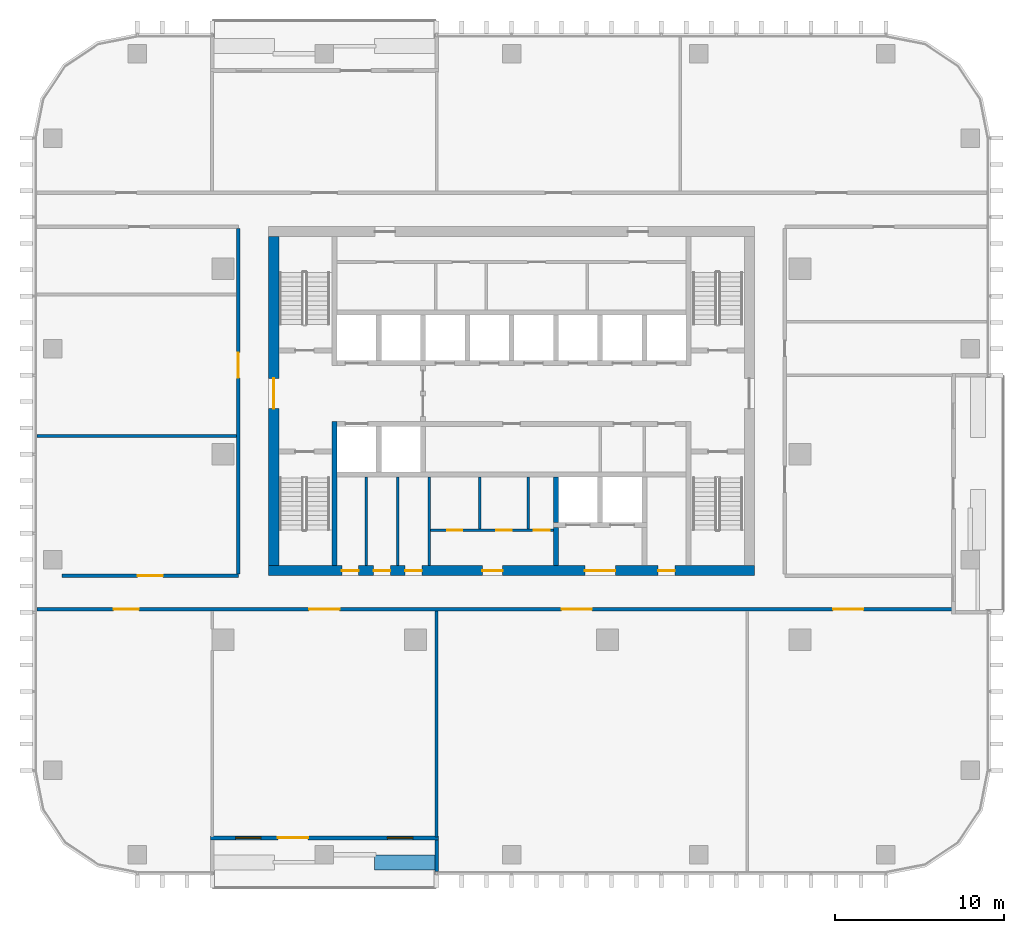
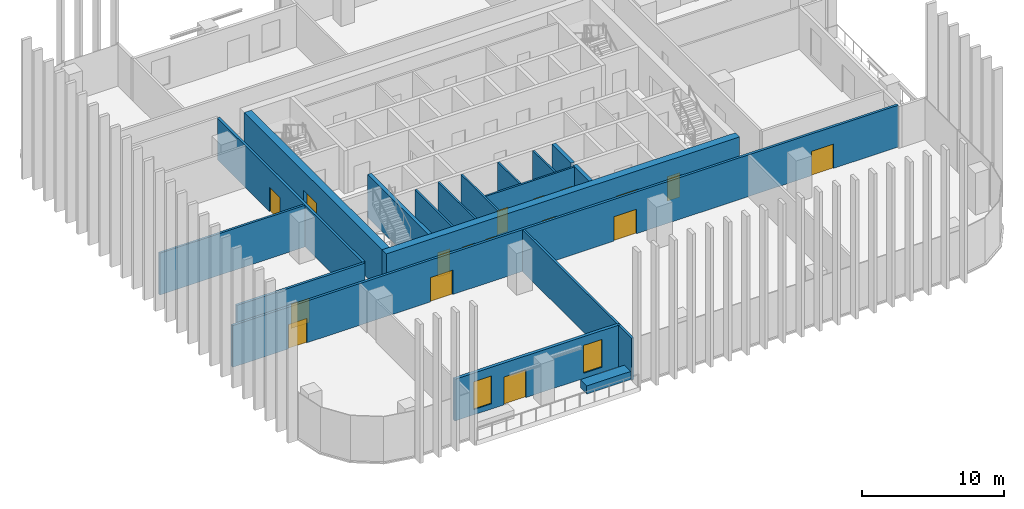
# One storey, part 7 of 15: 19 walls, 17 doors, 2 windows, 19 openings.
"""IFC4 building model written with IfcOpenShell, lengths in metres."""

from ifc_helpers import new_model, si_unit, direction, frame, frame_2d, origin, place, context, subcontext, project, spatial, rectangle, extrude, material, layer, layer_set, type_object, element, fill, save


model = new_model("IFC4")

# Units and contexts
model_context = context("Model", 3, precision=1e-05, world=origin(), true_north=direction((0.0, 1.0)))
body_context = subcontext(model_context, "Body", "Model", "MODEL_VIEW")
ifc_project = project(units=[si_unit("LENGTHUNIT", "METRE"), si_unit("AREAUNIT", "SQUARE_METRE"), si_unit("VOLUMEUNIT", "CUBIC_METRE"), si_unit("PLANEANGLEUNIT", "RADIAN"), si_unit("MASSUNIT", "GRAM", prefix="KILO")], contexts=[model_context])

# Site, building, storey
site_placement = place(None, origin())
site = spatial("IfcSite", under=ifc_project, at=site_placement, CompositionType="ELEMENT")
building_placement = place(site_placement, origin())
building = spatial("IfcBuilding", under=site, at=building_placement, Name="Mopane Tessera Tower", CompositionType="ELEMENT")
storey_placement = place(building_placement, frame((0.0, 0.0, 223.0)))
storey = spatial("IfcBuildingStorey", under=building, at=storey_placement, Name="L47", CompositionType="ELEMENT", Elevation=223.0)

# Walls
ifc_material_1 = material(Name="Fire-rated gypsum board partition")
ifc_layer_1 = layer(ifc_material_1, 0.14990234375)
ifc_layer_set_1 = layer_set([ifc_layer_1], Name="Fire-rated gypsum board partition")
wall_type_1 = type_object("IfcWallType", Name="Core room partition 150 mm", PredefinedType="PARTITIONING", material=ifc_layer_set_1)
for number, where, z_axis, x_axis, name in (
    (1, (-8.625, -6.60009765625, 0.0), (0.0, 0.0, 1.0), (0.0, 1.0, 0.0), "L47 Room partition"),
    (2, (-6.75, -6.60009765625, 0.0), (0.0, 0.0, 1.0), (0.0, 1.0, 0.0), "L47 Room partition"),
    (3, (-4.875, -6.60009765625, 0.0), (0.0, 0.0, 1.0), (0.0, 1.0, 0.0), "L47 Room partition"),
):
    element("IfcWall", number, at=place(storey_placement, frame(where, z_axis=z_axis, x_axis=x_axis)), inside=storey, type_object=wall_type_1, Name=name, PredefinedType="PARTITIONING", context=body_context, shape_type="SweptSolid", body=[
        extrude(rectangle(XDim=5.25, YDim=0.14990234375, at=frame_2d((2.625, 0.0))), origin(), (0.0, 0.0, 1.0), 3.699951171875),
    ])

# Wall, openings, doors
wall_1_placement = place(storey_placement, frame((-4.800048828125, -4.5, 0.0), z_axis=(0.0, 0.0, 1.0), x_axis=(1.0, 0.0, 0.0)))
wall_1 = element("IfcWall", 4, at=wall_1_placement, inside=storey, type_object=wall_type_1, Name="L47 WC partition", PredefinedType="PARTITIONING", context=body_context, shape_type="SweptSolid", body=[
    extrude(rectangle(XDim=7.275146484375, YDim=0.14990234375, at=frame_2d((3.6376953125, 0.0))), origin(), (0.0, 0.0, 1.0), 3.699951171875),
])
opening_1_placement = place(wall_1_placement, frame((0.97509765625, 0.0, 0.0)))
opening_1 = element("IfcOpeningElement", 5, at=opening_1_placement, cuts=wall_1, Name="Opening WD1", PredefinedType="OPENING", context=body_context, shape_type="SweptSolid", body=[
    extrude(rectangle(XDim=0.89990234375, YDim=2.10009765625, at=frame_2d((0.449951171875, 1.050048828125))), frame((0.0, 0.0869140625, 0.0), z_axis=(0.0, -1.0, 0.0), x_axis=(1.0, 0.0, 0.0)), (0.0, 0.0, 1.0), 0.173828125),
])
opening_2_placement = place(wall_1_placement, frame((3.89990234375, 0.0, 0.0)))
opening_2 = element("IfcOpeningElement", 6, at=opening_2_placement, cuts=wall_1, Name="Opening WD1", PredefinedType="OPENING", context=body_context, shape_type="SweptSolid", body=[
    extrude(rectangle(XDim=0.89990234375, YDim=2.10009765625, at=frame_2d((0.449951171875, 1.050048828125))), frame((0.0, 0.0869140625, 0.0), z_axis=(0.0, -1.0, 0.0), x_axis=(1.0, 0.0, 0.0)), (0.0, 0.0, 1.0), 0.173828125),
])
opening_3_placement = place(wall_1_placement, frame((6.125, 0.0, 0.0)))
opening_3 = element("IfcOpeningElement", 7, at=opening_3_placement, cuts=wall_1, Name="Opening WD2", PredefinedType="OPENING", context=body_context, shape_type="SweptSolid", body=[
    extrude(rectangle(XDim=0.949951171875, YDim=2.10009765625, at=frame_2d((0.47509765625, 1.050048828125))), frame((0.0, 0.0869140625, 0.0), z_axis=(0.0, -1.0, 0.0), x_axis=(1.0, 0.0, 0.0)), (0.0, 0.0, 1.0), 0.173828125),
])
ifc_material_2 = material(Name="Timber door", Category="wood")
door_type_1 = type_object("IfcDoorType", Name="Accessible WC door 950 x 2100", OperationType="SINGLE_SWING_LEFT", PredefinedType="DOOR", material=ifc_material_2)
door_1_placement = place(opening_3_placement, origin())
door_1 = element("IfcDoor", 8, at=door_1_placement, inside=storey, type_object=door_type_1, Name="L47 Accessible WC door", OperationType="SINGLE_SWING_LEFT", OverallHeight=2.10009765625, OverallWidth=0.949951171875, PredefinedType="DOOR", context=body_context, shape_type="SweptSolid", body=[
    extrude(rectangle(XDim=0.949951171875, YDim=2.10009765625, at=frame_2d((0.47509765625, 1.050048828125))), frame((0.0, 0.02490234375, 0.0), z_axis=(0.0, -1.0, 0.0), x_axis=(1.0, 0.0, 0.0)), (0.0, 0.0, 1.0), 0.050048828125),
])
fill(opening_3, door_1)
ifc_material_3 = material(Name="Timber door", Category="wood")
door_type_2 = type_object("IfcDoorType", Name="WC cubicle door 900 x 2100", OperationType="SINGLE_SWING_LEFT", PredefinedType="DOOR", material=ifc_material_3)
door_2_placement = place(opening_1_placement, origin())
door_2 = element("IfcDoor", 9, at=door_2_placement, inside=storey, type_object=door_type_2, Name="L47 Men's WC door", OperationType="SINGLE_SWING_LEFT", OverallHeight=2.10009765625, OverallWidth=0.89990234375, PredefinedType="DOOR", context=body_context, shape_type="SweptSolid", body=[
    extrude(rectangle(XDim=0.89990234375, YDim=2.10009765625, at=frame_2d((0.449951171875, 1.050048828125))), frame((0.0, 0.02490234375, 0.0), z_axis=(0.0, -1.0, 0.0), x_axis=(1.0, 0.0, 0.0)), (0.0, 0.0, 1.0), 0.050048828125),
])
fill(opening_1, door_2)
door_3_placement = place(opening_2_placement, origin())
door_3 = element("IfcDoor", 10, at=door_3_placement, inside=storey, type_object=door_type_2, Name="L47 Women's WC door", OperationType="SINGLE_SWING_LEFT", OverallHeight=2.10009765625, OverallWidth=0.89990234375, PredefinedType="DOOR", context=body_context, shape_type="SweptSolid", body=[
    extrude(rectangle(XDim=0.89990234375, YDim=2.10009765625, at=frame_2d((0.449951171875, 1.050048828125))), frame((0.0, 0.02490234375, 0.0), z_axis=(0.0, -1.0, 0.0), x_axis=(1.0, 0.0, 0.0)), (0.0, 0.0, 1.0), 0.050048828125),
])
fill(opening_2, door_3)

# Walls
for number, where, z_axis, x_axis, name in (
    (11, (-1.875, -4.425048828125, 0.0), (0.0, 0.0, 1.0), (0.0, 1.0, 0.0), "L47 WC partition"),
    (12, (0.97509765625, -4.425048828125, 0.0), (0.0, 0.0, 1.0), (0.0, 1.0, 0.0), "L47 WC partition"),
):
    element("IfcWall", number, at=place(storey_placement, frame(where, z_axis=z_axis, x_axis=x_axis)), inside=storey, type_object=wall_type_1, Name=name, PredefinedType="PARTITIONING", context=body_context, shape_type="SweptSolid", body=[
        extrude(rectangle(XDim=3.074951171875, YDim=0.14990234375, at=frame_2d((1.53759765625, 0.0))), origin(), (0.0, 0.0, 1.0), 3.699951171875),
    ])

# Wall, openings, doors
ifc_material_4 = material(Name="Concrete C70/85", Category="concrete")
ifc_layer_2 = layer(ifc_material_4, 0.60009765625)
ifc_layer_set_2 = layer_set([ifc_layer_2], Name="Concrete C70/85")
wall_type_2 = type_object("IfcWallType", Name="Core shear wall 600 mm", PredefinedType="SHEAR", material=ifc_layer_set_2)
wall_2_placement = place(storey_placement, frame((-14.39990234375, -6.89990234375, 0.0), z_axis=(0.0, 0.0, 1.0), x_axis=(1.0, 0.0, 0.0)))
wall_2 = element("IfcWall", 13, at=wall_2_placement, inside=storey, type_object=wall_type_2, Name="L47 Core wall south", PredefinedType="SHEAR", context=body_context, shape_type="SweptSolid", body=[
    extrude(rectangle(XDim=28.7998046875, YDim=0.60009765625, at=frame_2d((14.39990234375, 0.0))), origin(), (0.0, 0.0, 1.0), 3.699951171875),
])
opening_4_placement = place(wall_2_placement, frame((4.33740234375, 0.0, 0.0)))
opening_4 = element("IfcOpeningElement", 14, at=opening_4_placement, cuts=wall_2, Name="Opening RD1", PredefinedType="OPENING", context=body_context, shape_type="SweptSolid", body=[
    extrude(rectangle(XDim=1.0, YDim=2.10009765625, at=frame_2d((0.5, 1.050048828125))), frame((0.0, 0.31201171875, 0.0), z_axis=(0.0, -1.0, 0.0), x_axis=(1.0, 0.0, 0.0)), (0.0, 0.0, 1.0), 0.6240234375),
])
opening_5_placement = place(wall_2_placement, frame((6.21240234375, 0.0, 0.0)))
opening_5 = element("IfcOpeningElement", 15, at=opening_5_placement, cuts=wall_2, Name="Opening RD1", PredefinedType="OPENING", context=body_context, shape_type="SweptSolid", body=[
    extrude(rectangle(XDim=1.0, YDim=2.10009765625, at=frame_2d((0.5, 1.050048828125))), frame((0.0, 0.31201171875, 0.0), z_axis=(0.0, -1.0, 0.0), x_axis=(1.0, 0.0, 0.0)), (0.0, 0.0, 1.0), 0.6240234375),
])
opening_6_placement = place(wall_2_placement, frame((8.08740234375, 0.0, 0.0)))
opening_6 = element("IfcOpeningElement", 16, at=opening_6_placement, cuts=wall_2, Name="Opening RD1", PredefinedType="OPENING", context=body_context, shape_type="SweptSolid", body=[
    extrude(rectangle(XDim=1.0, YDim=2.10009765625, at=frame_2d((0.5, 1.050048828125))), frame((0.0, 0.31201171875, 0.0), z_axis=(0.0, -1.0, 0.0), x_axis=(1.0, 0.0, 0.0)), (0.0, 0.0, 1.0), 0.6240234375),
])
opening_7_placement = place(wall_2_placement, frame((12.675048828125, 0.0, 0.0)))
opening_7 = element("IfcOpeningElement", 17, at=opening_7_placement, cuts=wall_2, Name="Opening WD3", PredefinedType="OPENING", context=body_context, shape_type="SweptSolid", body=[
    extrude(rectangle(XDim=1.199951171875, YDim=2.10009765625, at=frame_2d((0.60009765625, 1.050048828125))), frame((0.0, 0.31201171875, 0.0), z_axis=(0.0, -1.0, 0.0), x_axis=(1.0, 0.0, 0.0)), (0.0, 0.0, 1.0), 0.6240234375),
])
opening_8_placement = place(wall_2_placement, frame((18.75, 0.0, 0.0)))
opening_8 = element("IfcOpeningElement", 18, at=opening_8_placement, cuts=wall_2, Name="Opening SD2", PredefinedType="OPENING", context=body_context, shape_type="SweptSolid", body=[
    extrude(rectangle(XDim=1.800048828125, YDim=2.10009765625, at=frame_2d((0.89990234375, 1.050048828125))), frame((0.0, 0.31201171875, 0.0), z_axis=(0.0, -1.0, 0.0), x_axis=(1.0, 0.0, 0.0)), (0.0, 0.0, 1.0), 0.6240234375),
])
opening_9_placement = place(wall_2_placement, frame((23.08740234375, 0.0, 0.0)))
opening_9 = element("IfcOpeningElement", 19, at=opening_9_placement, cuts=wall_2, Name="Opening RD1", PredefinedType="OPENING", context=body_context, shape_type="SweptSolid", body=[
    extrude(rectangle(XDim=1.0, YDim=2.10009765625, at=frame_2d((0.5, 1.050048828125))), frame((0.0, 0.31201171875, 0.0), z_axis=(0.0, -1.0, 0.0), x_axis=(1.0, 0.0, 0.0)), (0.0, 0.0, 1.0), 0.6240234375),
])
ifc_material_5 = material(Name="Steel fire door", Category="steel")
door_type_3 = type_object("IfcDoorType", Name="Core entrance double door 1800 x 2100", OperationType="DOUBLE_DOOR_SINGLE_SWING", PredefinedType="DOOR", material=ifc_material_5)
door_4_placement = place(opening_8_placement, origin())
door_4 = element("IfcDoor", 20, at=door_4_placement, inside=storey, type_object=door_type_3, Name="L47 Service lobby door", OperationType="DOUBLE_DOOR_SINGLE_SWING", OverallHeight=2.10009765625, OverallWidth=1.800048828125, PredefinedType="DOOR", context=body_context, shape_type="SweptSolid", body=[
    extrude(rectangle(XDim=1.800048828125, YDim=2.10009765625, at=frame_2d((0.89990234375, 1.050048828125))), frame((0.0, 0.02490234375, 0.0), z_axis=(0.0, -1.0, 0.0), x_axis=(1.0, 0.0, 0.0)), (0.0, 0.0, 1.0), 0.050048828125),
])
fill(opening_8, door_4)
ifc_material_6 = material(Name="Timber door", Category="wood")
door_type_4 = type_object("IfcDoorType", Name="Core room door 1000 x 2100", OperationType="SINGLE_SWING_LEFT", PredefinedType="DOOR", material=ifc_material_6)
door_5_placement = place(opening_4_placement, origin())
door_5 = element("IfcDoor", 21, at=door_5_placement, inside=storey, type_object=door_type_4, Name="L47 Room door", OperationType="SINGLE_SWING_LEFT", OverallHeight=2.10009765625, OverallWidth=1.0, PredefinedType="DOOR", context=body_context, shape_type="SweptSolid", body=[
    extrude(rectangle(XDim=1.0, YDim=2.10009765625, at=frame_2d((0.5, 1.050048828125))), frame((0.0, 0.02490234375, 0.0), z_axis=(0.0, -1.0, 0.0), x_axis=(1.0, 0.0, 0.0)), (0.0, 0.0, 1.0), 0.050048828125),
])
fill(opening_4, door_5)
door_6_placement = place(opening_5_placement, origin())
door_6 = element("IfcDoor", 22, at=door_6_placement, inside=storey, type_object=door_type_4, Name="L47 Room door", OperationType="SINGLE_SWING_LEFT", OverallHeight=2.10009765625, OverallWidth=1.0, PredefinedType="DOOR", context=body_context, shape_type="SweptSolid", body=[
    extrude(rectangle(XDim=1.0, YDim=2.10009765625, at=frame_2d((0.5, 1.050048828125))), frame((0.0, 0.02490234375, 0.0), z_axis=(0.0, -1.0, 0.0), x_axis=(1.0, 0.0, 0.0)), (0.0, 0.0, 1.0), 0.050048828125),
])
fill(opening_5, door_6)
door_7_placement = place(opening_6_placement, origin())
door_7 = element("IfcDoor", 23, at=door_7_placement, inside=storey, type_object=door_type_4, Name="L47 Room door", OperationType="SINGLE_SWING_LEFT", OverallHeight=2.10009765625, OverallWidth=1.0, PredefinedType="DOOR", context=body_context, shape_type="SweptSolid", body=[
    extrude(rectangle(XDim=1.0, YDim=2.10009765625, at=frame_2d((0.5, 1.050048828125))), frame((0.0, 0.02490234375, 0.0), z_axis=(0.0, -1.0, 0.0), x_axis=(1.0, 0.0, 0.0)), (0.0, 0.0, 1.0), 0.050048828125),
])
fill(opening_6, door_7)
door_8_placement = place(opening_9_placement, origin())
door_8 = element("IfcDoor", 24, at=door_8_placement, inside=storey, type_object=door_type_4, Name="L47 Room door", OperationType="SINGLE_SWING_LEFT", OverallHeight=2.10009765625, OverallWidth=1.0, PredefinedType="DOOR", context=body_context, shape_type="SweptSolid", body=[
    extrude(rectangle(XDim=1.0, YDim=2.10009765625, at=frame_2d((0.5, 1.050048828125))), frame((0.0, 0.02490234375, 0.0), z_axis=(0.0, -1.0, 0.0), x_axis=(1.0, 0.0, 0.0)), (0.0, 0.0, 1.0), 0.050048828125),
])
fill(opening_9, door_8)
ifc_material_7 = material(Name="Timber door", Category="wood")
door_type_5 = type_object("IfcDoorType", Name="WC lobby door 1200 x 2100", OperationType="SINGLE_SWING_LEFT", PredefinedType="DOOR", material=ifc_material_7)
door_9_placement = place(opening_7_placement, origin())
door_9 = element("IfcDoor", 25, at=door_9_placement, inside=storey, type_object=door_type_5, Name="L47 WC lobby door", OperationType="SINGLE_SWING_LEFT", OverallHeight=2.10009765625, OverallWidth=1.199951171875, PredefinedType="DOOR", context=body_context, shape_type="SweptSolid", body=[
    extrude(rectangle(XDim=1.199951171875, YDim=2.10009765625, at=frame_2d((0.60009765625, 1.050048828125))), frame((0.0, 0.02490234375, 0.0), z_axis=(0.0, -1.0, 0.0), x_axis=(1.0, 0.0, 0.0)), (0.0, 0.0, 1.0), 0.050048828125),
])
fill(opening_7, door_9)

# Wall, opening, door
wall_3_placement = place(storey_placement, frame((-14.10009765625, -6.60009765625, 0.0), z_axis=(0.0, 0.0, 1.0), x_axis=(0.0, 1.0, 0.0)))
wall_3 = element("IfcWall", 26, at=wall_3_placement, inside=storey, type_object=wall_type_2, Name="L47 Core wall west", PredefinedType="SHEAR", context=body_context, shape_type="SweptSolid", body=[
    extrude(rectangle(XDim=19.5, YDim=0.60009765625, at=frame_2d((9.75, 0.0))), origin(), (0.0, 0.0, 1.0), 3.699951171875),
])
opening_10_placement = place(wall_3_placement, frame((9.300048828125, 0.0, 0.0)))
opening_10 = element("IfcOpeningElement", 27, at=opening_10_placement, cuts=wall_3, Name="Opening SD2", PredefinedType="OPENING", context=body_context, shape_type="SweptSolid", body=[
    extrude(rectangle(XDim=1.800048828125, YDim=2.10009765625, at=frame_2d((0.89990234375, 1.050048828125))), frame((0.0, 0.31201171875, 0.0), z_axis=(0.0, -1.0, 0.0), x_axis=(1.0, 0.0, 0.0)), (0.0, 0.0, 1.0), 0.6240234375),
])
door_10_placement = place(opening_10_placement, origin())
door_10 = element("IfcDoor", 28, at=door_10_placement, inside=storey, type_object=door_type_3, Name="L47 Core entrance door west", OperationType="DOUBLE_DOOR_SINGLE_SWING", OverallHeight=2.10009765625, OverallWidth=1.800048828125, PredefinedType="DOOR", context=body_context, shape_type="SweptSolid", body=[
    extrude(rectangle(XDim=1.800048828125, YDim=2.10009765625, at=frame_2d((0.89990234375, 1.050048828125))), frame((0.0, 0.02490234375, 0.0), z_axis=(0.0, -1.0, 0.0), x_axis=(1.0, 0.0, 0.0)), (0.0, 0.0, 1.0), 0.050048828125),
])
fill(opening_10, door_10)

# Walls
ifc_material_8 = material(Name="Concrete C60/75", Category="concrete")
ifc_layer_3 = layer(ifc_material_8, 0.300048828125)
ifc_layer_set_3 = layer_set([ifc_layer_3], Name="Concrete C60/75")
wall_type_3 = type_object("IfcWallType", Name="Core spine wall 300 mm", PredefinedType="SHEAR", material=ifc_layer_set_3)
wall_4_placement = place(storey_placement, frame((-10.5, -6.60009765625, 0.0), z_axis=(0.0, 0.0, 1.0), x_axis=(0.0, 1.0, 0.0)))
element("IfcWall", 29, at=wall_4_placement, inside=storey, type_object=wall_type_3, Name="L47 Core spine wall", PredefinedType="SHEAR", context=body_context, shape_type="SweptSolid", body=[
    extrude(rectangle(XDim=8.550048828125, YDim=0.300048828125, at=frame_2d((4.27490234375, 0.0))), origin(), (0.0, 0.0, 1.0), 3.699951171875),
])
ifc_material_9 = material(Name="Gypsum board on staggered steel studs, double layer each face, acoustic mineral wool infill", Category="steel")
ifc_layer_4 = layer(ifc_material_9, 0.175048828125)
ifc_layer_set_4 = layer_set([ifc_layer_4], Name="Gypsum board on staggered steel studs, double layer each face, acoustic mineral wool infill")
wall_type_4 = type_object("IfcWallType", Name="Gypsum board acoustic partition 175, rated EI 60", PredefinedType="PARTITIONING", material=ifc_layer_set_4)
wall_5_placement = place(storey_placement, frame((-28.14990234375, 1.074951171875, 0.0), z_axis=(0.0, 0.0, 1.0), x_axis=(1.0, 0.0, 0.0)))
element("IfcWall", 30, at=wall_5_placement, inside=storey, type_object=wall_type_4, Name="Partition L47:003", PredefinedType="PARTITIONING", context=body_context, shape_type="SweptSolid", body=[
    extrude(rectangle(XDim=11.849853515625, YDim=0.175048828125, at=frame_2d((5.9248046875, 0.0))), origin(), (0.0, 0.0, 1.0), 3.60009765625),
])
wall_6_placement = place(storey_placement, frame((-4.43994140625, -22.699951171875, 0.0), z_axis=(0.0, 0.0, 1.0), x_axis=(0.0, 1.0, 0.0)))
element("IfcWall", 31, at=wall_6_placement, inside=storey, type_object=wall_type_4, Name="Partition L47:015", PredefinedType="PARTITIONING", context=body_context, shape_type="SweptSolid", body=[
    extrude(rectangle(XDim=13.39990234375, YDim=0.175048828125, at=frame_2d((6.699951171875, 0.0))), origin(), (0.0, 0.0, 1.0), 3.60009765625),
])

# Wall, openings, doors
ifc_material_10 = material(Name="Gypsum board on steel studs, two layers each face, mineral wool infill", Category="steel")
ifc_layer_5 = layer(ifc_material_10, 0.199951171875)
ifc_layer_set_5 = layer_set([ifc_layer_5], Name="Gypsum board on steel studs, two layers each face, mineral wool infill")
wall_type_5 = type_object("IfcWallType", Name="Gypsum board corridor wall 200, rated EI 60", PredefinedType="PARTITIONING", material=ifc_layer_set_5)
wall_7_placement = place(storey_placement, frame((-28.14990234375, -9.199951171875, 0.0), z_axis=(0.0, 0.0, 1.0), x_axis=(1.0, 0.0, 0.0)))
wall_7 = element("IfcWall", 32, at=wall_7_placement, inside=storey, type_object=wall_type_5, Name="Partition L47:000", PredefinedType="PARTITIONING", context=body_context, shape_type="SweptSolid", body=[
    extrude(rectangle(XDim=54.2998046875, YDim=0.199951171875, at=frame_2d((27.14990234375, 0.0))), origin(), (0.0, 0.0, 1.0), 3.60009765625),
])
opening_11_placement = place(wall_7_placement, frame((47.21240234375, 0.0, 0.0)))
opening_11 = element("IfcOpeningElement", 33, at=opening_11_placement, cuts=wall_7, Name="Opening L47-02", PredefinedType="OPENING", context=body_context, shape_type="SweptSolid", body=[
    extrude(rectangle(XDim=1.800048828125, YDim=2.10009765625, at=frame_2d((0.89990234375, 1.050048828125))), frame((0.0, 0.112060546875, 0.0), z_axis=(0.0, -1.0, 0.0), x_axis=(1.0, 0.0, 0.0)), (0.0, 0.0, 1.0), 0.223876953125),
])
opening_12_placement = place(wall_7_placement, frame((16.14990234375, 0.0, 0.0)))
opening_12 = element("IfcOpeningElement", 34, at=opening_12_placement, cuts=wall_7, Name="Opening L47-03", PredefinedType="OPENING", context=body_context, shape_type="SweptSolid", body=[
    extrude(rectangle(XDim=1.800048828125, YDim=2.10009765625, at=frame_2d((0.89990234375, 1.050048828125))), frame((0.0, 0.112060546875, 0.0), z_axis=(0.0, -1.0, 0.0), x_axis=(1.0, 0.0, 0.0)), (0.0, 0.0, 1.0), 0.223876953125),
])
opening_13_placement = place(wall_7_placement, frame((4.544921875, 0.0, 0.0)))
opening_13 = element("IfcOpeningElement", 35, at=opening_13_placement, cuts=wall_7, Name="Opening L47-08", PredefinedType="OPENING", context=body_context, shape_type="SweptSolid", body=[
    extrude(rectangle(XDim=1.5, YDim=2.10009765625, at=frame_2d((0.75, 1.050048828125))), frame((0.0, 0.112060546875, 0.0), z_axis=(0.0, -1.0, 0.0), x_axis=(1.0, 0.0, 0.0)), (0.0, 0.0, 1.0), 0.223876953125),
])
opening_14_placement = place(wall_7_placement, frame((31.117431640625, 0.0, 0.0)))
opening_14 = element("IfcOpeningElement", 36, at=opening_14_placement, cuts=wall_7, Name="Opening L47-14", PredefinedType="OPENING", context=body_context, shape_type="SweptSolid", body=[
    extrude(rectangle(XDim=1.800048828125, YDim=2.10009765625, at=frame_2d((0.89990234375, 1.050048828125))), frame((0.0, 0.112060546875, 0.0), z_axis=(0.0, -1.0, 0.0), x_axis=(1.0, 0.0, 0.0)), (0.0, 0.0, 1.0), 0.223876953125),
])
ifc_material_11 = material(Name="Timber veneered steel-framed fire door", Category="steel")
door_type_6 = type_object("IfcDoorType", Name="Fire door pair FD60 1500 x 2100", OperationType="DOUBLE_DOOR_SINGLE_SWING", PredefinedType="DOOR", material=ifc_material_11)
door_11_placement = place(opening_13_placement, origin())
door_11 = element("IfcDoor", 37, at=door_11_placement, inside=storey, type_object=door_type_6, Name="Door L47-08", ObjectType="D17A", OperationType="DOUBLE_DOOR_SINGLE_SWING", OverallHeight=2.10009765625, OverallWidth=1.5, PredefinedType="DOOR", context=body_context, shape_type="SweptSolid", body=[
    extrude(rectangle(XDim=1.5, YDim=2.10009765625, at=frame_2d((0.75, 1.050048828125))), frame((0.0, 0.02490234375, 0.0), z_axis=(0.0, -1.0, 0.0), x_axis=(1.0, 0.0, 0.0)), (0.0, 0.0, 1.0), 0.050048828125),
])
fill(opening_13, door_11)
ifc_material_12 = material(Name="Timber veneered steel-framed fire door", Category="steel")
door_type_7 = type_object("IfcDoorType", Name="Fire door pair FD60 1800 x 2100", OperationType="DOUBLE_DOOR_SINGLE_SWING", PredefinedType="DOOR", material=ifc_material_12)
door_12_placement = place(opening_11_placement, origin())
door_12 = element("IfcDoor", 38, at=door_12_placement, inside=storey, type_object=door_type_7, Name="Door L47-02", ObjectType="D20A", OperationType="DOUBLE_DOOR_SINGLE_SWING", OverallHeight=2.10009765625, OverallWidth=1.800048828125, PredefinedType="DOOR", context=body_context, shape_type="SweptSolid", body=[
    extrude(rectangle(XDim=1.800048828125, YDim=2.10009765625, at=frame_2d((0.89990234375, 1.050048828125))), frame((0.0, 0.02490234375, 0.0), z_axis=(0.0, -1.0, 0.0), x_axis=(1.0, 0.0, 0.0)), (0.0, 0.0, 1.0), 0.050048828125),
])
fill(opening_11, door_12)
door_13_placement = place(opening_12_placement, origin())
door_13 = element("IfcDoor", 39, at=door_13_placement, inside=storey, type_object=door_type_7, Name="Door L47-03", ObjectType="D20A", OperationType="DOUBLE_DOOR_SINGLE_SWING", OverallHeight=2.10009765625, OverallWidth=1.800048828125, PredefinedType="DOOR", context=body_context, shape_type="SweptSolid", body=[
    extrude(rectangle(XDim=1.800048828125, YDim=2.10009765625, at=frame_2d((0.89990234375, 1.050048828125))), frame((0.0, 0.02490234375, 0.0), z_axis=(0.0, -1.0, 0.0), x_axis=(1.0, 0.0, 0.0)), (0.0, 0.0, 1.0), 0.050048828125),
])
fill(opening_12, door_13)
door_14_placement = place(opening_14_placement, origin())
door_14 = element("IfcDoor", 40, at=door_14_placement, inside=storey, type_object=door_type_7, Name="Door L47-14", ObjectType="D20A", OperationType="DOUBLE_DOOR_SINGLE_SWING", OverallHeight=2.10009765625, OverallWidth=1.800048828125, PredefinedType="DOOR", context=body_context, shape_type="SweptSolid", body=[
    extrude(rectangle(XDim=1.800048828125, YDim=2.10009765625, at=frame_2d((0.89990234375, 1.050048828125))), frame((0.0, 0.02490234375, 0.0), z_axis=(0.0, -1.0, 0.0), x_axis=(1.0, 0.0, 0.0)), (0.0, 0.0, 1.0), 0.050048828125),
])
fill(opening_14, door_14)

# Wall, opening, door
wall_8_placement = place(storey_placement, frame((-26.64990234375, -7.199951171875, 0.0), z_axis=(0.0, 0.0, 1.0), x_axis=(1.0, 0.0, 0.0)))
wall_8 = element("IfcWall", 41, at=wall_8_placement, inside=storey, type_object=wall_type_5, Name="Partition L47:001", PredefinedType="PARTITIONING", context=body_context, shape_type="SweptSolid", body=[
    extrude(rectangle(XDim=10.449951171875, YDim=0.199951171875, at=frame_2d((5.22509765625, 0.0))), origin(), (0.0, 0.0, 1.0), 3.60009765625),
])
opening_15_placement = place(wall_8_placement, frame((4.47509765625, 0.0, 0.0)))
opening_15 = element("IfcOpeningElement", 42, at=opening_15_placement, cuts=wall_8, Name="Opening L47-09", PredefinedType="OPENING", context=body_context, shape_type="SweptSolid", body=[
    extrude(rectangle(XDim=1.5, YDim=2.10009765625, at=frame_2d((0.75, 1.050048828125))), frame((0.0, 0.112060546875, 0.0), z_axis=(0.0, -1.0, 0.0), x_axis=(1.0, 0.0, 0.0)), (0.0, 0.0, 1.0), 0.223876953125),
])
door_15_placement = place(opening_15_placement, origin())
door_15 = element("IfcDoor", 43, at=door_15_placement, inside=storey, type_object=door_type_6, Name="Door L47-09", ObjectType="D17A", OperationType="DOUBLE_DOOR_SINGLE_SWING", OverallHeight=2.10009765625, OverallWidth=1.5, PredefinedType="DOOR", context=body_context, shape_type="SweptSolid", body=[
    extrude(rectangle(XDim=1.5, YDim=2.10009765625, at=frame_2d((0.75, 1.050048828125))), frame((0.0, 0.02490234375, 0.0), z_axis=(0.0, -1.0, 0.0), x_axis=(1.0, 0.0, 0.0)), (0.0, 0.0, 1.0), 0.050048828125),
])
fill(opening_15, door_15)

wall_9_placement = place(storey_placement, frame((-16.199951171875, -7.10009765625, 0.0), z_axis=(0.0, 0.0, 1.0), x_axis=(0.0, 1.0, 0.0)))
wall_9 = element("IfcWall", 44, at=wall_9_placement, inside=storey, type_object=wall_type_5, Name="Partition L47:013", PredefinedType="PARTITIONING", context=body_context, shape_type="SweptSolid", body=[
    extrude(rectangle(XDim=20.5, YDim=0.199951171875, at=frame_2d((10.25, 0.0))), origin(), (0.0, 0.0, 1.0), 3.60009765625),
])
opening_16_placement = place(wall_9_placement, frame((11.6298828125, 0.0, 0.0)))
opening_16 = element("IfcOpeningElement", 45, at=opening_16_placement, cuts=wall_9, Name="Opening L47-13", PredefinedType="OPENING", context=body_context, shape_type="SweptSolid", body=[
    extrude(rectangle(XDim=1.5, YDim=2.10009765625, at=frame_2d((0.75, 1.050048828125))), frame((0.0, 0.112060546875, 0.0), z_axis=(0.0, -1.0, 0.0), x_axis=(1.0, 0.0, 0.0)), (0.0, 0.0, 1.0), 0.223876953125),
])
door_16_placement = place(opening_16_placement, origin())
door_16 = element("IfcDoor", 46, at=door_16_placement, inside=storey, type_object=door_type_6, Name="Door L47-13", ObjectType="D17A", OperationType="DOUBLE_DOOR_SINGLE_SWING", OverallHeight=2.10009765625, OverallWidth=1.5, PredefinedType="DOOR", context=body_context, shape_type="SweptSolid", body=[
    extrude(rectangle(XDim=1.5, YDim=2.10009765625, at=frame_2d((0.75, 1.050048828125))), frame((0.0, 0.02490234375, 0.0), z_axis=(0.0, -1.0, 0.0), x_axis=(1.0, 0.0, 0.0)), (0.0, 0.0, 1.0), 0.050048828125),
])
fill(opening_16, door_16)

# Walls
ifc_material_13 = material(Name="Concrete C50/60", Category="concrete")
ifc_layer_6 = layer(ifc_material_13, 0.300048828125)
ifc_layer_set_6 = layer_set([ifc_layer_6], Name="Concrete C50/60")
wall_type_6 = type_object("IfcWallType", Name="Lift and stair shaft wall 300 mm", PredefinedType="SOLIDWALL", material=ifc_layer_set_6)
wall_10_placement = place(storey_placement, frame((2.625, -4.050048828125, 0.0), z_axis=(0.0, 0.0, 1.0), x_axis=(0.0, 1.0, 0.0)))
element("IfcWall", 47, at=wall_10_placement, inside=storey, type_object=wall_type_6, Name="L47 Lift shaft wall", PredefinedType="SOLIDWALL", context=body_context, shape_type="SweptSolid", body=[
    extrude(rectangle(XDim=2.699951171875, YDim=0.300048828125, at=frame_2d((1.35009765625, 0.0))), origin(), (0.0, 0.0, 1.0), 3.699951171875),
])
ifc_material_14 = material(Name="Concrete C50/60", Category="concrete")
ifc_layer_7 = layer(ifc_material_14, 0.300048828125)
ifc_layer_set_7 = layer_set([ifc_layer_7], Name="Concrete C50/60")
wall_type_7 = type_object("IfcWallType", Name="Lobby and refuge room wall 300 mm", PredefinedType="SOLIDWALL", material=ifc_layer_set_7)
wall_11_placement = place(storey_placement, frame((2.625, -6.60009765625, 0.0), z_axis=(0.0, 0.0, 1.0), x_axis=(0.0, 1.0, 0.0)))
element("IfcWall", 48, at=wall_11_placement, inside=storey, type_object=wall_type_7, Name="L47 Service lobby wall", PredefinedType="SOLIDWALL", context=body_context, shape_type="SweptSolid", body=[
    extrude(rectangle(XDim=2.25, YDim=0.300048828125, at=frame_2d((1.125, 0.0))), origin(), (0.0, 0.0, 1.0), 3.699951171875),
])
ifc_material_15 = material(Name="Reinforced concrete C32/40 with waterproofing", Category="concrete")
ifc_layer_8 = layer(ifc_material_15, 0.89990234375)
ifc_layer_set_8 = layer_set([ifc_layer_8], Name="Reinforced concrete C32/40 with waterproofing")
wall_type_8 = type_object("IfcWallType", Name="Planter trough 3600 x 900", PredefinedType="STANDARD", material=ifc_layer_set_8)
wall_12_placement = place(storey_placement, frame((-8.139892578125, -24.199951171875, 0.0), z_axis=(0.0, 0.0, 1.0), x_axis=(1.0, 0.0, 0.0)))
element("IfcWall", 49, at=wall_12_placement, inside=storey, type_object=wall_type_8, Name="e:nw:L47:N1:pl1", PredefinedType="STANDARD", context=body_context, shape_type="SweptSolid", body=[
    extrude(rectangle(XDim=3.599853515625, YDim=0.89990234375, at=frame_2d((1.7998046875, 0.0))), origin(), (0.0, 0.0, 1.0), 0.699951171875),
])
ifc_material_16 = material(Name="Blockwork with glazed tile facing", Category="masonry")
ifc_layer_9 = layer(ifc_material_16, 0.199951171875)
ifc_layer_set_9 = layer_set([ifc_layer_9], Name="Blockwork with glazed tile facing")
wall_type_9 = type_object("IfcWallType", Name="Terrace cheek wall 200", PredefinedType="STANDARD", material=ifc_layer_set_9)
wall_13_placement = place(storey_placement, frame((-4.43994140625, -24.75, 0.0), z_axis=(0.0, 0.0, 1.0), x_axis=(0.0, 1.0, 0.0)))
element("IfcWall", 50, at=wall_13_placement, inside=storey, type_object=wall_type_9, Name="e:nw:L47:N1:cheekb", PredefinedType="STANDARD", context=body_context, shape_type="SweptSolid", body=[
    extrude(rectangle(XDim=1.875, YDim=0.199951171875, at=frame_2d((0.9375, 0.0))), origin(), (0.0, 0.0, 1.0), 3.60009765625),
])

# Wall, openings, windows, door
ifc_material_17 = material(Name="Blockwork with ultramarine glazed tile facing", Category="masonry")
ifc_layer_10 = layer(ifc_material_17, 0.25)
ifc_layer_set_10 = layer_set([ifc_layer_10], Name="Blockwork with ultramarine glazed tile facing")
wall_type_10 = type_object("IfcWallType", Name="Tile-clad external wall 250, ultramarine", PredefinedType="STANDARD", material=ifc_layer_set_10)
wall_14_placement = place(storey_placement, frame((-17.860107421875, -22.75, 0.0), z_axis=(0.0, 0.0, 1.0), x_axis=(1.0, 0.0, 0.0)))
wall_14 = element("IfcWall", 51, at=wall_14_placement, inside=storey, type_object=wall_type_10, Name="e:nw:L47:N1:back", PredefinedType="STANDARD", context=body_context, shape_type="SweptSolid", body=[
    extrude(rectangle(XDim=13.52001953125, YDim=0.25, at=frame_2d((6.760009765625, 0.0))), origin(), (0.0, 0.0, 1.0), 3.60009765625),
])
opening_17_placement = place(wall_14_placement, frame((1.5, 0.0, 0.449951171875)))
opening_17 = element("IfcOpeningElement", 52, at=opening_17_placement, cuts=wall_14, Name="Opening NW471A", PredefinedType="OPENING", context=body_context, shape_type="SweptSolid", body=[
    extrude(rectangle(XDim=1.5, YDim=2.39990234375, at=frame_2d((0.75, 1.199951171875))), frame((0.0, 0.136962890625, 0.0), z_axis=(0.0, -1.0, 0.0), x_axis=(1.0, 0.0, 0.0)), (0.0, 0.0, 1.0), 0.27392578125),
])
opening_18_placement = place(wall_14_placement, frame((4.0, 0.0, 0.0)))
opening_18 = element("IfcOpeningElement", 53, at=opening_18_placement, cuts=wall_14, Name="Opening ND471", PredefinedType="OPENING", context=body_context, shape_type="SweptSolid", body=[
    extrude(rectangle(XDim=1.800048828125, YDim=2.39990234375, at=frame_2d((0.89990234375, 1.199951171875))), frame((0.0, 0.136962890625, 0.0), z_axis=(0.0, -1.0, 0.0), x_axis=(1.0, 0.0, 0.0)), (0.0, 0.0, 1.0), 0.27392578125),
])
opening_19_placement = place(wall_14_placement, frame((10.5, 0.0, 0.449951171875)))
opening_19 = element("IfcOpeningElement", 54, at=opening_19_placement, cuts=wall_14, Name="Opening NW471B", PredefinedType="OPENING", context=body_context, shape_type="SweptSolid", body=[
    extrude(rectangle(XDim=1.5, YDim=2.39990234375, at=frame_2d((0.75, 1.199951171875))), frame((0.0, 0.136962890625, 0.0), z_axis=(0.0, -1.0, 0.0), x_axis=(1.0, 0.0, 0.0)), (0.0, 0.0, 1.0), 0.27392578125),
])
ifc_material_18 = material(Name="Clear laminated glass", Category="glass")
window_type = type_object("IfcWindowType", Name="Fixed window 1500 x 2400", PartitioningType="SINGLE_PANEL", PredefinedType="WINDOW", material=ifc_material_18)
window_1_placement = place(opening_17_placement, origin())
window_1 = element("IfcWindow", 55, at=window_1_placement, inside=storey, type_object=window_type, Name="e:nw:L47:N1:win0", OverallHeight=2.39990234375, OverallWidth=1.5, PartitioningType="SINGLE_PANEL", PredefinedType="WINDOW", context=body_context, shape_type="SweptSolid", body=[
    extrude(rectangle(XDim=1.5, YDim=2.39990234375, at=frame_2d((0.75, 1.199951171875))), frame((0.0, 0.030029296875, 0.0), z_axis=(0.0, -1.0, 0.0), x_axis=(1.0, 0.0, 0.0)), (0.0, 0.0, 1.0), 0.06005859375),
])
fill(opening_17, window_1)
window_2_placement = place(opening_19_placement, origin())
window_2 = element("IfcWindow", 56, at=window_2_placement, inside=storey, type_object=window_type, Name="e:nw:L47:N1:win2", OverallHeight=2.39990234375, OverallWidth=1.5, PartitioningType="SINGLE_PANEL", PredefinedType="WINDOW", context=body_context, shape_type="SweptSolid", body=[
    extrude(rectangle(XDim=1.5, YDim=2.39990234375, at=frame_2d((0.75, 1.199951171875))), frame((0.0, 0.030029296875, 0.0), z_axis=(0.0, -1.0, 0.0), x_axis=(1.0, 0.0, 0.0)), (0.0, 0.0, 1.0), 0.06005859375),
])
fill(opening_19, window_2)
ifc_material_19 = material(Name="Aluminium and clear glass", Category="aluminium")
door_type_8 = type_object("IfcDoorType", Name="Terrace double door 1800 x 2400", OperationType="DOUBLE_DOOR_SINGLE_SWING", PredefinedType="DOOR", material=ifc_material_19)
door_17_placement = place(opening_18_placement, origin())
door_17 = element("IfcDoor", 57, at=door_17_placement, inside=storey, type_object=door_type_8, Name="e:nw:L47:N1:door", ObjectType="D1", OperationType="DOUBLE_DOOR_SINGLE_SWING", OverallHeight=2.39990234375, OverallWidth=1.800048828125, PredefinedType="DOOR", context=body_context, shape_type="SweptSolid", body=[
    extrude(rectangle(XDim=1.800048828125, YDim=2.39990234375, at=frame_2d((0.89990234375, 1.199951171875))), frame((0.0, 0.02490234375, 0.0), z_axis=(0.0, -1.0, 0.0), x_axis=(1.0, 0.0, 0.0)), (0.0, 0.0, 1.0), 0.050048828125),
])
fill(opening_18, door_17)

save(model, "model.ifc")
